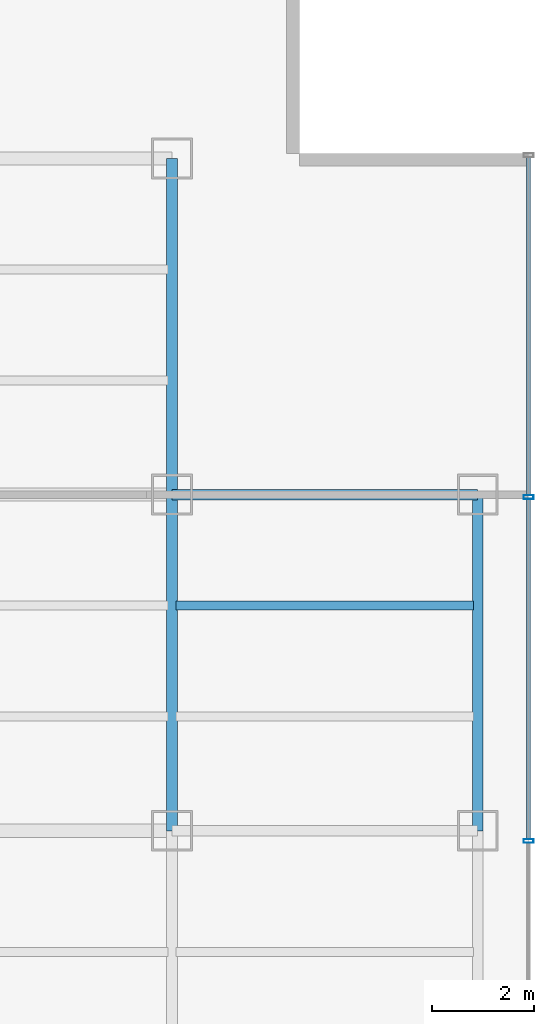
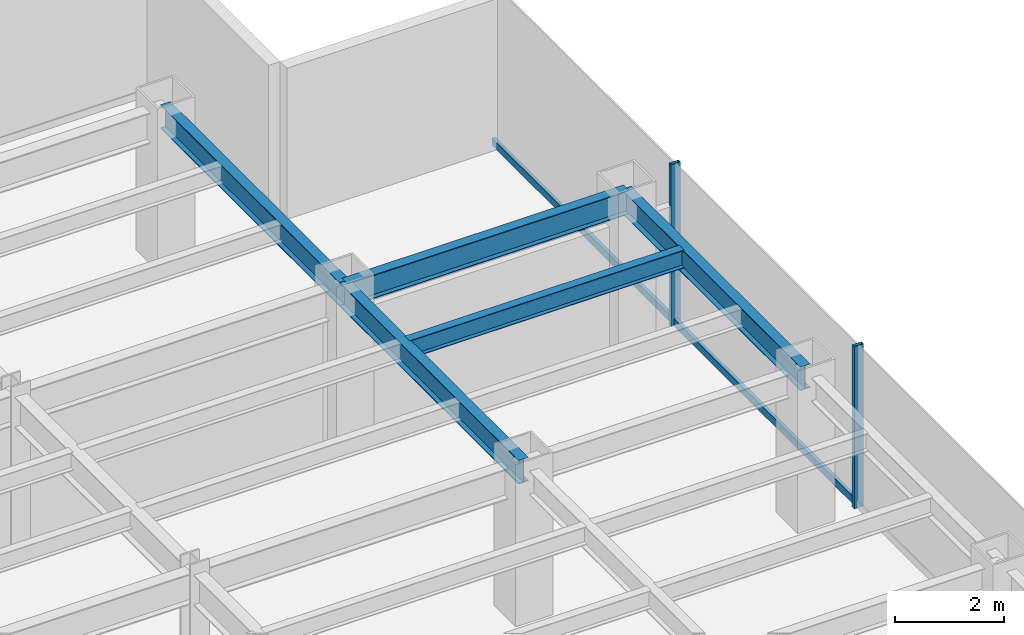
# One storey, part 12 of 26: 5 beams, 4 members, 1 element without a shape of its own.
"""IFC4 building model written with IfcOpenShell, lengths in metres."""

from ifc_helpers import new_model, si_unit, derived_unit, direction, frame, origin, origin_2d, place, context, subcontext, project, spatial, hollow_rectangle, i_section, extrude, source, transform, mapped, material, material_profile, profile_set, type_object, element, aggregate, save


model = new_model("IFC4")

# Units and contexts
model_context = context("Model", 3, precision=1e-05, world=origin(), true_north=direction((0.0, 1.0)))
body_context = subcontext(model_context, "Body", "Model", "MODEL_VIEW")
ifc_project = project(units=[si_unit("LENGTHUNIT", "METRE"), si_unit("AREAUNIT", "SQUARE_METRE"), si_unit("VOLUMEUNIT", "CUBIC_METRE"), si_unit("PLANEANGLEUNIT", "RADIAN"), si_unit("MASSUNIT", "GRAM", prefix="KILO"), derived_unit("THERMALTRANSMITTANCEUNIT", [(si_unit("POWERUNIT", "WATT"), 1), (si_unit("LENGTHUNIT", "METRE"), -2), (si_unit("THERMODYNAMICTEMPERATUREUNIT", "KELVIN"), -1)])], contexts=[model_context])

# Site, building, storey
site_placement = place(None, origin())
site = spatial("IfcSite", under=ifc_project, at=site_placement, CompositionType="ELEMENT")
building_placement = place(site_placement, origin())
building = spatial("IfcBuilding", under=site, at=building_placement, Name="Skarnbrae Concourse Arena and Tower", CompositionType="ELEMENT")
storey_placement = place(building_placement, frame((0.0, 0.0, 110.550048828125)))
storey = spatial("IfcBuildingStorey", under=building, at=storey_placement, Name="L27", CompositionType="ELEMENT", Elevation=110.550048828125)

# Beams
ifc_material_1 = material(Name="Steel CSA G40.21 350W", Category="steel")
ifc_material_profile_1 = material_profile(ifc_material_1, i_section(OverallWidth=0.208984375, OverallDepth=0.532958984375, WebThickness=0.01025390625, FlangeThickness=0.015625, at=origin_2d()), Name="W530X92")
ifc_profile_set_1 = profile_set([ifc_material_profile_1], Name="Steel CSA G40.21 350W")
beam_type_1 = type_object("IfcBeamType", Name="BM-SPAN-W530X92", PredefinedType="SPANDREL", material=ifc_profile_set_1)
shared_shape_1 = source(origin(), body_context, "Body", "SweptSolid", [
    extrude(i_section(OverallWidth=0.208984375, OverallDepth=0.532958984375, WebThickness=0.01025390625, FlangeThickness=0.015625, at=origin_2d()), origin(), (0.0, 0.0, 1.0), 6.0),
])
beam_1_placement = place(storey_placement, frame((49.0, 27.800048828125, 3.133544921875), z_axis=(1.0, 0.0, 0.0), x_axis=(0.0, 1.0, 0.0)))
element("IfcBeam", 1, at=beam_1_placement, inside=storey, type_object=beam_type_1, Name="L27 Perimeter spandrel Y27.8-8", PredefinedType="SPANDREL", context=body_context, shape_type="MappedRepresentation", body=[
    mapped(shared_shape_1, transform((0.0, 0.0, 0.0))),
])
shared_shape_2 = source(origin(), body_context, "Body", "SweptSolid", [
    extrude(i_section(OverallWidth=0.208984375, OverallDepth=0.532958984375, WebThickness=0.01025390625, FlangeThickness=0.015625, at=origin_2d()), origin(), (0.0, 0.0, 1.0), 6.60009765625),
])
for number, where, z_axis, x_axis, name in (
    (2, (49.0, 21.199951171875, 3.133544921875), (0.0, 1.0, 0.0), (-1.0, 0.0, 0.0), "L27 Perimeter spandrel X49.0-3"),
    (3, (55.0, 21.199951171875, 3.133544921875), (0.0, 1.0, 0.0), (-1.0, 0.0, 0.0), "L27 Perimeter spandrel X55.0-3"),
):
    element("IfcBeam", number, at=place(storey_placement, frame(where, z_axis=z_axis, x_axis=x_axis)), inside=storey, type_object=beam_type_1, Name=name, PredefinedType="SPANDREL", context=body_context, shape_type="MappedRepresentation", body=[
        mapped(shared_shape_2, transform((0.0, 0.0, 0.0))),
    ])
shared_shape_3 = source(origin(), body_context, "Body", "SweptSolid", [
    extrude(i_section(OverallWidth=0.208984375, OverallDepth=0.532958984375, WebThickness=0.01025390625, FlangeThickness=0.015625, at=origin_2d()), origin(), (0.0, 0.0, 1.0), 6.599853515625),
])
beam_2_placement = place(storey_placement, frame((49.0, 27.800048828125, 3.133544921875), z_axis=(0.0, 1.0, 0.0), x_axis=(-1.0, 0.0, 0.0)))
element("IfcBeam", 4, at=beam_2_placement, inside=storey, type_object=beam_type_1, Name="L27 Perimeter spandrel X49.0-4", PredefinedType="SPANDREL", context=body_context, shape_type="MappedRepresentation", body=[
    mapped(shared_shape_3, transform((0.0, 0.0, 0.0))),
])
ifc_material_profile_2 = material_profile(ifc_material_1, i_section(OverallWidth=0.177978515625, OverallDepth=0.406982421875, WebThickness=0.0078125, FlangeThickness=0.0126953125, at=origin_2d()), Name="W410X60")
ifc_profile_set_2 = profile_set([ifc_material_profile_2], Name="Steel CSA G40.21 350W")
beam_type_2 = type_object("IfcBeamType", Name="BM-JOIST-W410X60", PredefinedType="JOIST", material=ifc_profile_set_2)
shared_shape_4 = source(origin(), body_context, "Body", "SweptSolid", [
    extrude(i_section(OverallWidth=0.177978515625, OverallDepth=0.406982421875, WebThickness=0.0078125, FlangeThickness=0.0126953125, at=origin_2d()), origin(), (0.0, 0.0, 1.0), 5.83984375),
])
beam_3_placement = place(storey_placement, frame((49.080078125, 25.6220703125, 3.196533203125), z_axis=(1.0, 0.0, 0.0), x_axis=(0.0, 1.0, 0.0)))
element("IfcBeam", 5, at=beam_3_placement, inside=storey, type_object=beam_type_2, Name="L27 Secondary floor joist 2.2.8", PredefinedType="JOIST", context=body_context, shape_type="MappedRepresentation", body=[
    mapped(shared_shape_4, transform((0.0, 0.0, 0.0))),
])

# Curtain wall, members
ifc_material_2 = material(Name="Bronze anodised aluminium 6063-T6", Category="aluminium")
curtain_wall_type = type_object("IfcCurtainWallType", Name="CW-SYS-04-MIDZONE", PredefinedType="USERDEFINED", material=ifc_material_2)
curtain_wall_placement = place(storey_placement, origin())
curtain_wall = element("IfcCurtainWall", 6, at=curtain_wall_placement, inside=storey, type_object=curtain_wall_type, Name="L27 Unitised curtain wall CW-L27-E04", ObjectType="UNITISED CURTAIN WALL", PredefinedType="USERDEFINED")
ifc_material_profile_3 = material_profile(ifc_material_2, hollow_rectangle(XDim=0.074951171875, YDim=0.195068359375, WallThickness=0.00439453125, at=origin_2d()), Name="ALU-MULL-75X195")
ifc_profile_set_3 = profile_set([ifc_material_profile_3], Name="Bronze anodised aluminium 6063-T6")
member_type_1 = type_object("IfcMemberType", Name="CWM-CW-04", PredefinedType="MULLION", material=ifc_profile_set_3)
shared_shape_5 = source(origin(), body_context, "Body", "SweptSolid", [
    extrude(hollow_rectangle(XDim=0.074951171875, YDim=0.195068359375, WallThickness=0.00439453125, at=origin_2d()), origin(), (0.0, 0.0, 1.0), 3.64990234375),
])
member_1_placement = place(storey_placement, frame((56.0, 21.0, 0.0), z_axis=(0.0, 0.0, 1.0), x_axis=(0.0, 1.0, 0.0)))
member_1 = element("IfcMember", 7, at=member_1_placement, type_object=member_type_1, Name="CW-L27-E04 Mullion 3", PredefinedType="MULLION", context=body_context, shape_type="MappedRepresentation", body=[
    mapped(shared_shape_5, transform((0.0, 0.0, 0.0))),
])
member_2_placement = place(storey_placement, frame((56.0, 27.75, 0.0), z_axis=(0.0, 0.0, 1.0), x_axis=(0.0, 1.0, 0.0)))
member_2 = element("IfcMember", 8, at=member_2_placement, type_object=member_type_1, Name="CW-L27-E04 Mullion 4", PredefinedType="MULLION", context=body_context, shape_type="MappedRepresentation", body=[
    mapped(shared_shape_5, transform((0.0, 0.0, 0.0))),
])
ifc_material_profile_4 = material_profile(ifc_material_2, hollow_rectangle(XDim=0.074951171875, YDim=0.159912109375, WallThickness=0.00439453125, at=origin_2d()), Name="ALU-TRAN-75X160")
ifc_profile_set_4 = profile_set([ifc_material_profile_4], Name="Bronze anodised aluminium 6063-T6")
member_type_2 = type_object("IfcMemberType", Name="CWT-CW-04", PredefinedType="USERDEFINED", material=ifc_profile_set_4)
shared_shape_6 = source(origin(), body_context, "Body", "SweptSolid", [
    extrude(hollow_rectangle(XDim=0.074951171875, YDim=0.159912109375, WallThickness=0.00439453125, at=origin_2d()), origin(), (0.0, 0.0, 1.0), 6.637451171875),
])
member_3_placement = place(storey_placement, frame((56.0, 27.78759765625, 0.079833984375), z_axis=(0.0, 1.0, 0.0), x_axis=(-1.0, 0.0, 0.0)))
member_3 = element("IfcMember", 9, at=member_3_placement, type_object=member_type_2, Name="CW-L27-E04 Transom 4", ObjectType="TRANSOM", PredefinedType="USERDEFINED", context=body_context, shape_type="MappedRepresentation", body=[
    mapped(shared_shape_6, transform((0.0, 0.0, 0.0))),
])
shared_shape_7 = source(origin(), body_context, "Body", "SweptSolid", [
    extrude(hollow_rectangle(XDim=0.074951171875, YDim=0.159912109375, WallThickness=0.00439453125, at=origin_2d()), origin(), (0.0, 0.0, 1.0), 6.6748046875),
])
member_4_placement = place(storey_placement, frame((56.0, 21.03759765625, 0.079833984375), z_axis=(0.0, 1.0, 0.0), x_axis=(-1.0, 0.0, 0.0)))
member_4 = element("IfcMember", 10, at=member_4_placement, type_object=member_type_2, Name="CW-L27-E04 Transom 3", ObjectType="TRANSOM", PredefinedType="USERDEFINED", context=body_context, shape_type="MappedRepresentation", body=[
    mapped(shared_shape_7, transform((0.0, 0.0, 0.0))),
])
aggregate(curtain_wall, [member_1, member_2, member_4, member_3])

save(model, "model.ifc")
